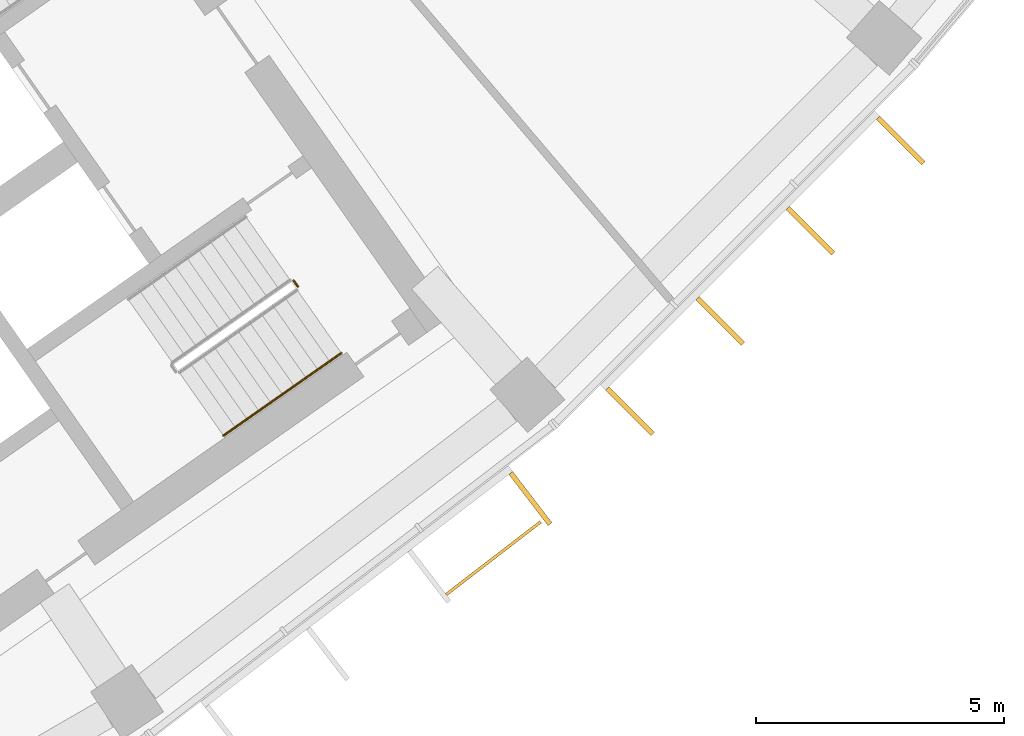
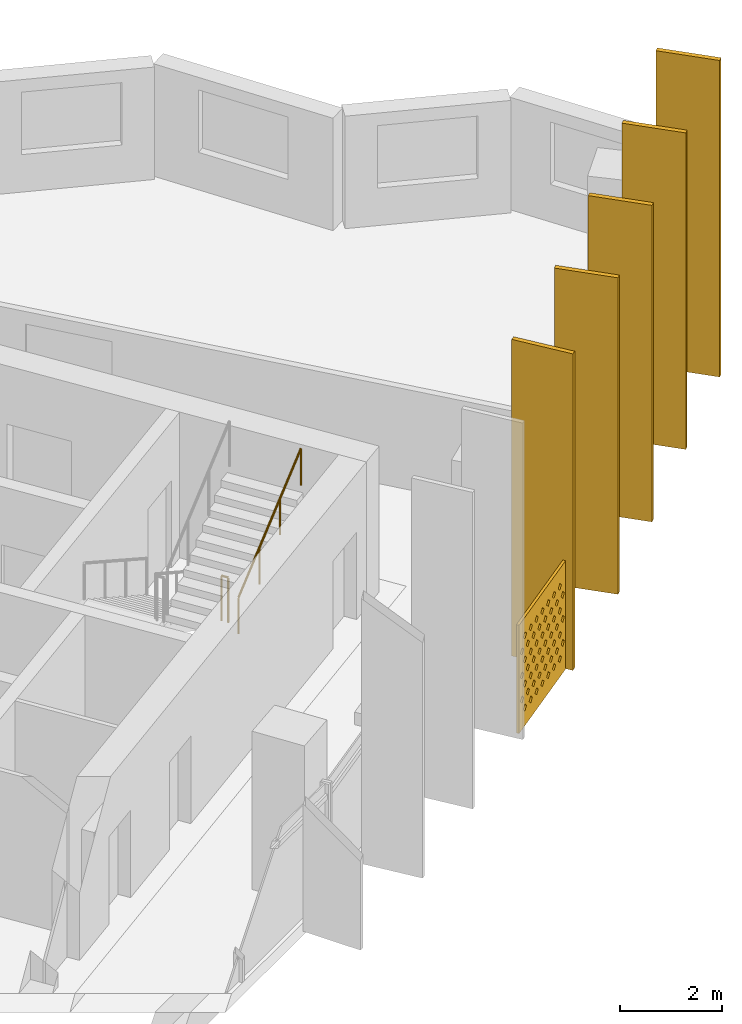
# One storey, part 28 of 28: 6 shading devices, 2 railings.
"""IFC4 building model written with IfcOpenShell, lengths in metres."""

from ifc_helpers import new_model, si_unit, direction, frame, origin, origin_2d, place, context, subcontext, project, spatial, polyline, rectangle, circle, outline, extrude, material, material_profile, profile_set, type_object, element, save


model = new_model("IFC4")

# Units and contexts
model_context = context("Model", 3, precision=1e-05, world=origin(), true_north=direction((0.0, 1.0)))
body_context = subcontext(model_context, "Body", "Model", "MODEL_VIEW")
ifc_project = project(units=[si_unit("LENGTHUNIT", "METRE"), si_unit("AREAUNIT", "SQUARE_METRE"), si_unit("VOLUMEUNIT", "CUBIC_METRE"), si_unit("PLANEANGLEUNIT", "RADIAN"), si_unit("MASSUNIT", "GRAM", prefix="KILO")], contexts=[model_context])

# Site, building, storey
site_placement = place(None, origin())
site = spatial("IfcSite", under=ifc_project, at=site_placement, CompositionType="ELEMENT")
building_placement = place(site_placement, origin())
building = spatial("IfcBuilding", under=site, at=building_placement, Name="Qamariyya Broadcast Tower", CompositionType="ELEMENT")
storey_placement = place(building_placement, frame((0.0, 0.0, 226.5)))
storey = spatial("IfcBuildingStorey", under=building, at=storey_placement, Name="L54", CompositionType="ELEMENT", Elevation=226.5)

# Shading device
ifc_material_1 = material(Name="Perforated glazed terracotta", Category="masonry")
ifc_material_profile_1 = material_profile(ifc_material_1, outline(polyline([(-1.199951171875, -1.300048828125), (1.199951171875, -1.300048828125), (1.199951171875, 1.300048828125), (-1.199951171875, 1.300048828125), (-1.199951171875, -1.300048828125)]), holes=[polyline([(-0.81494140625, -0.86669921875), (-0.89990234375, -0.78173828125), (-0.985107421875, -0.86669921875), (-0.89990234375, -0.95166015625), (-0.81494140625, -0.86669921875)]), polyline([(-0.514892578125, -0.86669921875), (-0.60009765625, -0.78173828125), (-0.68505859375, -0.86669921875), (-0.60009765625, -0.95166015625), (-0.514892578125, -0.86669921875)]), polyline([(-0.215087890625, -0.86669921875), (-0.300048828125, -0.78173828125), (-0.385009765625, -0.86669921875), (-0.300048828125, -0.95166015625), (-0.215087890625, -0.86669921875)]), polyline([(0.0849609375, -0.86669921875), (0.0, -0.78173828125), (-0.0849609375, -0.86669921875), (0.0, -0.95166015625), (0.0849609375, -0.86669921875)]), polyline([(0.385009765625, -0.86669921875), (0.300048828125, -0.78173828125), (0.215087890625, -0.86669921875), (0.300048828125, -0.95166015625), (0.385009765625, -0.86669921875)]), polyline([(0.68505859375, -0.86669921875), (0.60009765625, -0.78173828125), (0.514892578125, -0.86669921875), (0.60009765625, -0.95166015625), (0.68505859375, -0.86669921875)]), polyline([(0.985107421875, -0.86669921875), (0.89990234375, -0.78173828125), (0.81494140625, -0.86669921875), (0.89990234375, -0.95166015625), (0.985107421875, -0.86669921875)]), polyline([(-0.965087890625, -0.577880859375), (-1.050048828125, -0.49267578125), (-1.135009765625, -0.577880859375), (-1.050048828125, -0.662841796875), (-0.965087890625, -0.577880859375)]), polyline([(-0.6650390625, -0.577880859375), (-0.75, -0.49267578125), (-0.8349609375, -0.577880859375), (-0.75, -0.662841796875), (-0.6650390625, -0.577880859375)]), polyline([(-0.364990234375, -0.577880859375), (-0.449951171875, -0.49267578125), (-0.534912109375, -0.577880859375), (-0.449951171875, -0.662841796875), (-0.364990234375, -0.577880859375)]), polyline([(-0.06494140625, -0.577880859375), (-0.14990234375, -0.49267578125), (-0.235107421875, -0.577880859375), (-0.14990234375, -0.662841796875), (-0.06494140625, -0.577880859375)]), polyline([(0.235107421875, -0.577880859375), (0.14990234375, -0.49267578125), (0.06494140625, -0.577880859375), (0.14990234375, -0.662841796875), (0.235107421875, -0.577880859375)]), polyline([(0.534912109375, -0.577880859375), (0.449951171875, -0.49267578125), (0.364990234375, -0.577880859375), (0.449951171875, -0.662841796875), (0.534912109375, -0.577880859375)]), polyline([(0.8349609375, -0.577880859375), (0.75, -0.49267578125), (0.6650390625, -0.577880859375), (0.75, -0.662841796875), (0.8349609375, -0.577880859375)]), polyline([(1.135009765625, -0.577880859375), (1.050048828125, -0.49267578125), (0.965087890625, -0.577880859375), (1.050048828125, -0.662841796875), (1.135009765625, -0.577880859375)]), polyline([(-0.81494140625, -0.288818359375), (-0.89990234375, -0.203857421875), (-0.985107421875, -0.288818359375), (-0.89990234375, -0.373779296875), (-0.81494140625, -0.288818359375)]), polyline([(-0.514892578125, -0.288818359375), (-0.60009765625, -0.203857421875), (-0.68505859375, -0.288818359375), (-0.60009765625, -0.373779296875), (-0.514892578125, -0.288818359375)]), polyline([(-0.215087890625, -0.288818359375), (-0.300048828125, -0.203857421875), (-0.385009765625, -0.288818359375), (-0.300048828125, -0.373779296875), (-0.215087890625, -0.288818359375)]), polyline([(0.0849609375, -0.288818359375), (0.0, -0.203857421875), (-0.0849609375, -0.288818359375), (0.0, -0.373779296875), (0.0849609375, -0.288818359375)]), polyline([(0.385009765625, -0.288818359375), (0.300048828125, -0.203857421875), (0.215087890625, -0.288818359375), (0.300048828125, -0.373779296875), (0.385009765625, -0.288818359375)]), polyline([(0.68505859375, -0.288818359375), (0.60009765625, -0.203857421875), (0.514892578125, -0.288818359375), (0.60009765625, -0.373779296875), (0.68505859375, -0.288818359375)]), polyline([(0.985107421875, -0.288818359375), (0.89990234375, -0.203857421875), (0.81494140625, -0.288818359375), (0.89990234375, -0.373779296875), (0.985107421875, -0.288818359375)]), polyline([(-0.965087890625, 0.0), (-1.050048828125, 0.0849609375), (-1.135009765625, 0.0), (-1.050048828125, -0.0849609375), (-0.965087890625, 0.0)]), polyline([(-0.6650390625, 0.0), (-0.75, 0.0849609375), (-0.8349609375, 0.0), (-0.75, -0.0849609375), (-0.6650390625, 0.0)]), polyline([(-0.364990234375, 0.0), (-0.449951171875, 0.0849609375), (-0.534912109375, 0.0), (-0.449951171875, -0.0849609375), (-0.364990234375, 0.0)]), polyline([(-0.06494140625, 0.0), (-0.14990234375, 0.0849609375), (-0.235107421875, 0.0), (-0.14990234375, -0.0849609375), (-0.06494140625, 0.0)]), polyline([(0.235107421875, 0.0), (0.14990234375, 0.0849609375), (0.06494140625, 0.0), (0.14990234375, -0.0849609375), (0.235107421875, 0.0)]), polyline([(0.534912109375, 0.0), (0.449951171875, 0.0849609375), (0.364990234375, 0.0), (0.449951171875, -0.0849609375), (0.534912109375, 0.0)]), polyline([(0.8349609375, 0.0), (0.75, 0.0849609375), (0.6650390625, 0.0), (0.75, -0.0849609375), (0.8349609375, 0.0)]), polyline([(1.135009765625, 0.0), (1.050048828125, 0.0849609375), (0.965087890625, 0.0), (1.050048828125, -0.0849609375), (1.135009765625, 0.0)]), polyline([(-0.81494140625, 0.288818359375), (-0.89990234375, 0.373779296875), (-0.985107421875, 0.288818359375), (-0.89990234375, 0.203857421875), (-0.81494140625, 0.288818359375)]), polyline([(-0.514892578125, 0.288818359375), (-0.60009765625, 0.373779296875), (-0.68505859375, 0.288818359375), (-0.60009765625, 0.203857421875), (-0.514892578125, 0.288818359375)]), polyline([(-0.215087890625, 0.288818359375), (-0.300048828125, 0.373779296875), (-0.385009765625, 0.288818359375), (-0.300048828125, 0.203857421875), (-0.215087890625, 0.288818359375)]), polyline([(0.0849609375, 0.288818359375), (0.0, 0.373779296875), (-0.0849609375, 0.288818359375), (0.0, 0.203857421875), (0.0849609375, 0.288818359375)]), polyline([(0.385009765625, 0.288818359375), (0.300048828125, 0.373779296875), (0.215087890625, 0.288818359375), (0.300048828125, 0.203857421875), (0.385009765625, 0.288818359375)]), polyline([(0.68505859375, 0.288818359375), (0.60009765625, 0.373779296875), (0.514892578125, 0.288818359375), (0.60009765625, 0.203857421875), (0.68505859375, 0.288818359375)]), polyline([(0.985107421875, 0.288818359375), (0.89990234375, 0.373779296875), (0.81494140625, 0.288818359375), (0.89990234375, 0.203857421875), (0.985107421875, 0.288818359375)]), polyline([(-0.965087890625, 0.577880859375), (-1.050048828125, 0.662841796875), (-1.135009765625, 0.577880859375), (-1.050048828125, 0.49267578125), (-0.965087890625, 0.577880859375)]), polyline([(-0.6650390625, 0.577880859375), (-0.75, 0.662841796875), (-0.8349609375, 0.577880859375), (-0.75, 0.49267578125), (-0.6650390625, 0.577880859375)]), polyline([(-0.364990234375, 0.577880859375), (-0.449951171875, 0.662841796875), (-0.534912109375, 0.577880859375), (-0.449951171875, 0.49267578125), (-0.364990234375, 0.577880859375)]), polyline([(-0.06494140625, 0.577880859375), (-0.14990234375, 0.662841796875), (-0.235107421875, 0.577880859375), (-0.14990234375, 0.49267578125), (-0.06494140625, 0.577880859375)]), polyline([(0.235107421875, 0.577880859375), (0.14990234375, 0.662841796875), (0.06494140625, 0.577880859375), (0.14990234375, 0.49267578125), (0.235107421875, 0.577880859375)]), polyline([(0.534912109375, 0.577880859375), (0.449951171875, 0.662841796875), (0.364990234375, 0.577880859375), (0.449951171875, 0.49267578125), (0.534912109375, 0.577880859375)]), polyline([(0.8349609375, 0.577880859375), (0.75, 0.662841796875), (0.6650390625, 0.577880859375), (0.75, 0.49267578125), (0.8349609375, 0.577880859375)]), polyline([(1.135009765625, 0.577880859375), (1.050048828125, 0.662841796875), (0.965087890625, 0.577880859375), (1.050048828125, 0.49267578125), (1.135009765625, 0.577880859375)]), polyline([(-0.81494140625, 0.86669921875), (-0.89990234375, 0.95166015625), (-0.985107421875, 0.86669921875), (-0.89990234375, 0.78173828125), (-0.81494140625, 0.86669921875)]), polyline([(-0.514892578125, 0.86669921875), (-0.60009765625, 0.95166015625), (-0.68505859375, 0.86669921875), (-0.60009765625, 0.78173828125), (-0.514892578125, 0.86669921875)]), polyline([(-0.215087890625, 0.86669921875), (-0.300048828125, 0.95166015625), (-0.385009765625, 0.86669921875), (-0.300048828125, 0.78173828125), (-0.215087890625, 0.86669921875)]), polyline([(0.0849609375, 0.86669921875), (0.0, 0.95166015625), (-0.0849609375, 0.86669921875), (0.0, 0.78173828125), (0.0849609375, 0.86669921875)]), polyline([(0.385009765625, 0.86669921875), (0.300048828125, 0.95166015625), (0.215087890625, 0.86669921875), (0.300048828125, 0.78173828125), (0.385009765625, 0.86669921875)]), polyline([(0.68505859375, 0.86669921875), (0.60009765625, 0.95166015625), (0.514892578125, 0.86669921875), (0.60009765625, 0.78173828125), (0.68505859375, 0.86669921875)]), polyline([(0.985107421875, 0.86669921875), (0.89990234375, 0.95166015625), (0.81494140625, 0.86669921875), (0.89990234375, 0.78173828125), (0.985107421875, 0.86669921875)])]))
ifc_profile_set_1 = profile_set([ifc_material_profile_1], Name="Perforated glazed terracotta")
shading_device_type_1 = type_object("IfcShadingDeviceType", Name="Perforated terracotta screen 2400 x 2600", PredefinedType="USERDEFINED", material=ifc_profile_set_1)
shading_device_placement = place(storey_placement, frame((50.5615234375, -61.727294921875, 1.35009765625), z_axis=(0.60971076085, -0.792623989105, 0.0), x_axis=(0.792623989105, 0.60971076085, 0.0)))
element("IfcShadingDevice", 1, at=shading_device_placement, inside=storey, type_object=shading_device_type_1, Name="e-scr-L54-13-2", ObjectType="SCREEN", PredefinedType="USERDEFINED", context=body_context, shape_type="SweptSolid", body=[
    extrude(outline(polyline([(-1.199951171875, -1.300048828125), (1.199951171875, -1.300048828125), (1.199951171875, 1.300048828125), (-1.199951171875, 1.300048828125), (-1.199951171875, -1.300048828125)]), holes=[polyline([(-0.81494140625, -0.86669921875), (-0.89990234375, -0.78173828125), (-0.985107421875, -0.86669921875), (-0.89990234375, -0.95166015625), (-0.81494140625, -0.86669921875)]), polyline([(-0.514892578125, -0.86669921875), (-0.60009765625, -0.78173828125), (-0.68505859375, -0.86669921875), (-0.60009765625, -0.95166015625), (-0.514892578125, -0.86669921875)]), polyline([(-0.215087890625, -0.86669921875), (-0.300048828125, -0.78173828125), (-0.385009765625, -0.86669921875), (-0.300048828125, -0.95166015625), (-0.215087890625, -0.86669921875)]), polyline([(0.0849609375, -0.86669921875), (0.0, -0.78173828125), (-0.0849609375, -0.86669921875), (0.0, -0.95166015625), (0.0849609375, -0.86669921875)]), polyline([(0.385009765625, -0.86669921875), (0.300048828125, -0.78173828125), (0.215087890625, -0.86669921875), (0.300048828125, -0.95166015625), (0.385009765625, -0.86669921875)]), polyline([(0.68505859375, -0.86669921875), (0.60009765625, -0.78173828125), (0.514892578125, -0.86669921875), (0.60009765625, -0.95166015625), (0.68505859375, -0.86669921875)]), polyline([(0.985107421875, -0.86669921875), (0.89990234375, -0.78173828125), (0.81494140625, -0.86669921875), (0.89990234375, -0.95166015625), (0.985107421875, -0.86669921875)]), polyline([(-0.965087890625, -0.577880859375), (-1.050048828125, -0.49267578125), (-1.135009765625, -0.577880859375), (-1.050048828125, -0.662841796875), (-0.965087890625, -0.577880859375)]), polyline([(-0.6650390625, -0.577880859375), (-0.75, -0.49267578125), (-0.8349609375, -0.577880859375), (-0.75, -0.662841796875), (-0.6650390625, -0.577880859375)]), polyline([(-0.364990234375, -0.577880859375), (-0.449951171875, -0.49267578125), (-0.534912109375, -0.577880859375), (-0.449951171875, -0.662841796875), (-0.364990234375, -0.577880859375)]), polyline([(-0.06494140625, -0.577880859375), (-0.14990234375, -0.49267578125), (-0.235107421875, -0.577880859375), (-0.14990234375, -0.662841796875), (-0.06494140625, -0.577880859375)]), polyline([(0.235107421875, -0.577880859375), (0.14990234375, -0.49267578125), (0.06494140625, -0.577880859375), (0.14990234375, -0.662841796875), (0.235107421875, -0.577880859375)]), polyline([(0.534912109375, -0.577880859375), (0.449951171875, -0.49267578125), (0.364990234375, -0.577880859375), (0.449951171875, -0.662841796875), (0.534912109375, -0.577880859375)]), polyline([(0.8349609375, -0.577880859375), (0.75, -0.49267578125), (0.6650390625, -0.577880859375), (0.75, -0.662841796875), (0.8349609375, -0.577880859375)]), polyline([(1.135009765625, -0.577880859375), (1.050048828125, -0.49267578125), (0.965087890625, -0.577880859375), (1.050048828125, -0.662841796875), (1.135009765625, -0.577880859375)]), polyline([(-0.81494140625, -0.288818359375), (-0.89990234375, -0.203857421875), (-0.985107421875, -0.288818359375), (-0.89990234375, -0.373779296875), (-0.81494140625, -0.288818359375)]), polyline([(-0.514892578125, -0.288818359375), (-0.60009765625, -0.203857421875), (-0.68505859375, -0.288818359375), (-0.60009765625, -0.373779296875), (-0.514892578125, -0.288818359375)]), polyline([(-0.215087890625, -0.288818359375), (-0.300048828125, -0.203857421875), (-0.385009765625, -0.288818359375), (-0.300048828125, -0.373779296875), (-0.215087890625, -0.288818359375)]), polyline([(0.0849609375, -0.288818359375), (0.0, -0.203857421875), (-0.0849609375, -0.288818359375), (0.0, -0.373779296875), (0.0849609375, -0.288818359375)]), polyline([(0.385009765625, -0.288818359375), (0.300048828125, -0.203857421875), (0.215087890625, -0.288818359375), (0.300048828125, -0.373779296875), (0.385009765625, -0.288818359375)]), polyline([(0.68505859375, -0.288818359375), (0.60009765625, -0.203857421875), (0.514892578125, -0.288818359375), (0.60009765625, -0.373779296875), (0.68505859375, -0.288818359375)]), polyline([(0.985107421875, -0.288818359375), (0.89990234375, -0.203857421875), (0.81494140625, -0.288818359375), (0.89990234375, -0.373779296875), (0.985107421875, -0.288818359375)]), polyline([(-0.965087890625, 0.0), (-1.050048828125, 0.0849609375), (-1.135009765625, 0.0), (-1.050048828125, -0.0849609375), (-0.965087890625, 0.0)]), polyline([(-0.6650390625, 0.0), (-0.75, 0.0849609375), (-0.8349609375, 0.0), (-0.75, -0.0849609375), (-0.6650390625, 0.0)]), polyline([(-0.364990234375, 0.0), (-0.449951171875, 0.0849609375), (-0.534912109375, 0.0), (-0.449951171875, -0.0849609375), (-0.364990234375, 0.0)]), polyline([(-0.06494140625, 0.0), (-0.14990234375, 0.0849609375), (-0.235107421875, 0.0), (-0.14990234375, -0.0849609375), (-0.06494140625, 0.0)]), polyline([(0.235107421875, 0.0), (0.14990234375, 0.0849609375), (0.06494140625, 0.0), (0.14990234375, -0.0849609375), (0.235107421875, 0.0)]), polyline([(0.534912109375, 0.0), (0.449951171875, 0.0849609375), (0.364990234375, 0.0), (0.449951171875, -0.0849609375), (0.534912109375, 0.0)]), polyline([(0.8349609375, 0.0), (0.75, 0.0849609375), (0.6650390625, 0.0), (0.75, -0.0849609375), (0.8349609375, 0.0)]), polyline([(1.135009765625, 0.0), (1.050048828125, 0.0849609375), (0.965087890625, 0.0), (1.050048828125, -0.0849609375), (1.135009765625, 0.0)]), polyline([(-0.81494140625, 0.288818359375), (-0.89990234375, 0.373779296875), (-0.985107421875, 0.288818359375), (-0.89990234375, 0.203857421875), (-0.81494140625, 0.288818359375)]), polyline([(-0.514892578125, 0.288818359375), (-0.60009765625, 0.373779296875), (-0.68505859375, 0.288818359375), (-0.60009765625, 0.203857421875), (-0.514892578125, 0.288818359375)]), polyline([(-0.215087890625, 0.288818359375), (-0.300048828125, 0.373779296875), (-0.385009765625, 0.288818359375), (-0.300048828125, 0.203857421875), (-0.215087890625, 0.288818359375)]), polyline([(0.0849609375, 0.288818359375), (0.0, 0.373779296875), (-0.0849609375, 0.288818359375), (0.0, 0.203857421875), (0.0849609375, 0.288818359375)]), polyline([(0.385009765625, 0.288818359375), (0.300048828125, 0.373779296875), (0.215087890625, 0.288818359375), (0.300048828125, 0.203857421875), (0.385009765625, 0.288818359375)]), polyline([(0.68505859375, 0.288818359375), (0.60009765625, 0.373779296875), (0.514892578125, 0.288818359375), (0.60009765625, 0.203857421875), (0.68505859375, 0.288818359375)]), polyline([(0.985107421875, 0.288818359375), (0.89990234375, 0.373779296875), (0.81494140625, 0.288818359375), (0.89990234375, 0.203857421875), (0.985107421875, 0.288818359375)]), polyline([(-0.965087890625, 0.577880859375), (-1.050048828125, 0.662841796875), (-1.135009765625, 0.577880859375), (-1.050048828125, 0.49267578125), (-0.965087890625, 0.577880859375)]), polyline([(-0.6650390625, 0.577880859375), (-0.75, 0.662841796875), (-0.8349609375, 0.577880859375), (-0.75, 0.49267578125), (-0.6650390625, 0.577880859375)]), polyline([(-0.364990234375, 0.577880859375), (-0.449951171875, 0.662841796875), (-0.534912109375, 0.577880859375), (-0.449951171875, 0.49267578125), (-0.364990234375, 0.577880859375)]), polyline([(-0.06494140625, 0.577880859375), (-0.14990234375, 0.662841796875), (-0.235107421875, 0.577880859375), (-0.14990234375, 0.49267578125), (-0.06494140625, 0.577880859375)]), polyline([(0.235107421875, 0.577880859375), (0.14990234375, 0.662841796875), (0.06494140625, 0.577880859375), (0.14990234375, 0.49267578125), (0.235107421875, 0.577880859375)]), polyline([(0.534912109375, 0.577880859375), (0.449951171875, 0.662841796875), (0.364990234375, 0.577880859375), (0.449951171875, 0.49267578125), (0.534912109375, 0.577880859375)]), polyline([(0.8349609375, 0.577880859375), (0.75, 0.662841796875), (0.6650390625, 0.577880859375), (0.75, 0.49267578125), (0.8349609375, 0.577880859375)]), polyline([(1.135009765625, 0.577880859375), (1.050048828125, 0.662841796875), (0.965087890625, 0.577880859375), (1.050048828125, 0.49267578125), (1.135009765625, 0.577880859375)]), polyline([(-0.81494140625, 0.86669921875), (-0.89990234375, 0.95166015625), (-0.985107421875, 0.86669921875), (-0.89990234375, 0.78173828125), (-0.81494140625, 0.86669921875)]), polyline([(-0.514892578125, 0.86669921875), (-0.60009765625, 0.95166015625), (-0.68505859375, 0.86669921875), (-0.60009765625, 0.78173828125), (-0.514892578125, 0.86669921875)]), polyline([(-0.215087890625, 0.86669921875), (-0.300048828125, 0.95166015625), (-0.385009765625, 0.86669921875), (-0.300048828125, 0.78173828125), (-0.215087890625, 0.86669921875)]), polyline([(0.0849609375, 0.86669921875), (0.0, 0.95166015625), (-0.0849609375, 0.86669921875), (0.0, 0.78173828125), (0.0849609375, 0.86669921875)]), polyline([(0.385009765625, 0.86669921875), (0.300048828125, 0.95166015625), (0.215087890625, 0.86669921875), (0.300048828125, 0.78173828125), (0.385009765625, 0.86669921875)]), polyline([(0.68505859375, 0.86669921875), (0.60009765625, 0.95166015625), (0.514892578125, 0.86669921875), (0.60009765625, 0.78173828125), (0.68505859375, 0.86669921875)]), polyline([(0.985107421875, 0.86669921875), (0.89990234375, 0.95166015625), (0.81494140625, 0.86669921875), (0.89990234375, 0.78173828125), (0.985107421875, 0.86669921875)])]), origin(), (0.0, 0.0, 1.0), 0.06005859375),
])

# Railings
ifc_material_2 = material(Name="Painted steel", Category="steel")
railing_type_1 = type_object("IfcRailingType", Name="Stair guard", PredefinedType="GUARDRAIL", material=ifc_material_2)
railing_1_placement = place(storey_placement, frame((46.550537109375, -56.1552734375, 0.0)))
element("IfcRailing", 2, at=railing_1_placement, inside=storey, type_object=railing_type_1, Name="L54 ST-E1 stair guard 3", PredefinedType="GUARDRAIL", context=body_context, shape_type="SweptSolid", body=[
    extrude(circle(Radius=0.02392578125, at=origin_2d()), frame((0.0, 0.0, 1.076171875), z_axis=(0.574444878118, -0.818543268254, 0.0), x_axis=(0.818543268254, 0.574444878118, 0.0)), (0.0, 0.0, 1.0), 0.150146484375),
    extrude(circle(Radius=0.02099609375, at=origin_2d()), origin(), (0.0, 0.0, 1.0), 1.052001953125),
    extrude(circle(Radius=0.02099609375, at=origin_2d()), frame((0.086181640625, -0.122802734375, 0.0)), (0.0, 0.0, 1.0), 1.052001953125),
])
ifc_material_3 = material(Name="Stainless steel", Category="steel")
railing_type_2 = type_object("IfcRailingType", Name="Stair handrail", PredefinedType="HANDRAIL", material=ifc_material_3)
railing_2_placement = place(storey_placement, frame((45.137939453125, -59.28076171875, 2.07275390625)))
element("IfcRailing", 3, at=railing_2_placement, inside=storey, type_object=railing_type_2, Name="L54 ST-E1 stair handrail 2", PredefinedType="HANDRAIL", context=body_context, shape_type="SweptSolid", body=[
    extrude(circle(Radius=0.02392578125, at=origin_2d()), frame((0.0, 0.0, 0.8759765625), z_axis=(0.703770094002, 0.492783725636, 0.511734163933), x_axis=(-0.573575343427, 0.819152809562, 0.0)), (0.0, 0.0, 1.0), 3.37548828125),
    extrude(circle(Radius=0.02099609375, at=origin_2d()), origin(), (0.0, 0.0, 1.0), 0.851806640625),
    extrude(circle(Radius=0.02099609375, at=origin_2d()), frame((0.791748046875, 0.554443359375, 0.57568359375)), (0.0, 0.0, 1.0), 0.851806640625),
    extrude(circle(Radius=0.02099609375, at=origin_2d()), frame((1.583740234375, 1.10888671875, 1.151611328125)), (0.0, 0.0, 1.0), 0.851806640625),
    extrude(circle(Radius=0.02099609375, at=origin_2d()), frame((2.37548828125, 1.663330078125, 1.727294921875)), (0.0, 0.0, 1.0), 0.851806640625),
])

# Shading devices
ifc_material_4 = material(Name="Glazed terracotta", Category="masonry")
ifc_material_profile_2 = material_profile(ifc_material_4, rectangle(XDim=1.300048828125, YDim=0.10009765625, at=origin_2d()))
ifc_profile_set_2 = profile_set([ifc_material_profile_2], Name="Glazed terracotta")
shading_device_type_2 = type_object("IfcShadingDeviceType", Name="Terracotta fin 100 x 1300", PredefinedType="USERDEFINED", material=ifc_profile_set_2)
for number, where, z_axis, x_axis, name in (
    (4, (51.32421875, -60.5498046875, 0.0), (0.0, 0.0, 1.0), (0.608761429009, -0.793353340291, 0.0), "e-fin-L54-13-3"),
    (5, (53.33251953125, -58.78857421875, 0.0), (0.0, 0.0, 1.0), (0.707106781187, -0.707106781187, 0.0), "e-fin-L54-14-0"),
    (6, (55.151123046875, -56.969970703125, 0.0), (0.0, 0.0, 1.0), (0.707106781187, -0.707106781187, 0.0), "e-fin-L54-14-1"),
    (7, (56.969970703125, -55.151123046875, 0.0), (0.0, 0.0, 1.0), (0.707106781187, -0.707106781187, 0.0), "e-fin-L54-14-2"),
    (8, (58.78857421875, -53.33251953125, 0.0), (0.0, 0.0, 1.0), (0.707106781187, -0.707106781187, 0.0), "e-fin-L54-14-3"),
):
    element("IfcShadingDevice", number, at=place(storey_placement, frame(where, z_axis=z_axis, x_axis=x_axis)), inside=storey, type_object=shading_device_type_2, Name=name, ObjectType="FIN", PredefinedType="USERDEFINED", context=body_context, shape_type="SweptSolid", body=[
        extrude(rectangle(XDim=1.300048828125, YDim=0.10009765625, at=origin_2d()), origin(), (0.0, 0.0, 1.0), 7.60009765625),
    ])

save(model, "model.ifc")
